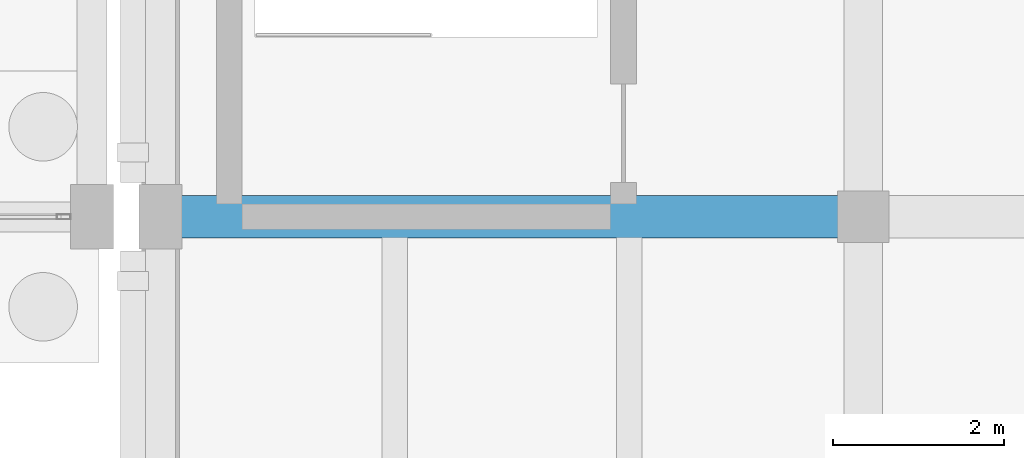
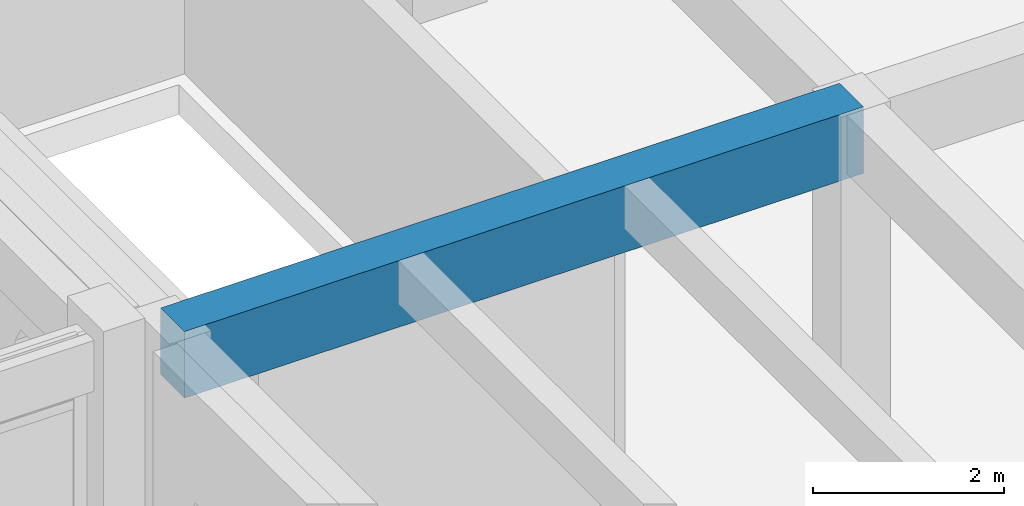
# One storey, part 34 of 186: 1 beam.
"""IFC4 building model written with IfcOpenShell, lengths in metres."""

from ifc_helpers import new_model, si_unit, direction, frame, origin, origin_2d, place, context, subcontext, project, spatial, rectangle, extrude, material, material_profile, profile_set, type_object, element, save


model = new_model("IFC4")

# Units and contexts
model_context = context("Model", 3, precision=1e-05, world=origin(), true_north=direction((0.0, 1.0)))
body_context = subcontext(model_context, "Body", "Model", "MODEL_VIEW")
ifc_project = project(units=[si_unit("LENGTHUNIT", "METRE"), si_unit("AREAUNIT", "SQUARE_METRE"), si_unit("VOLUMEUNIT", "CUBIC_METRE"), si_unit("PLANEANGLEUNIT", "RADIAN"), si_unit("MASSUNIT", "GRAM", prefix="KILO")], contexts=[model_context])

# Site, building, storey
site_placement = place(None, origin())
site = spatial("IfcSite", under=ifc_project, at=site_placement, CompositionType="ELEMENT")
building_placement = place(site_placement, origin())
building = spatial("IfcBuilding", under=site, at=building_placement, Name="Ornek Quay Market", CompositionType="ELEMENT")
storey_placement = place(building_placement, origin())
storey = spatial("IfcBuildingStorey", under=building, at=storey_placement, Name="L00", CompositionType="ELEMENT", Elevation=0.0)

# Beam
ifc_material = material(Name="Concrete C40/50", Category="concrete")
ifc_material_profile = material_profile(ifc_material, rectangle(XDim=0.5, YDim=0.85009765625, at=origin_2d()), Name="RC 500x850", Category="concrete")
ifc_profile_set = profile_set([ifc_material_profile], Name="Concrete C40/50")
beam_type = type_object("IfcBeamType", Name="BM-GAL-500x850", PredefinedType="BEAM", material=ifc_profile_set)
beam_placement = place(storey_placement, frame((54.800048828125, 20.0, 3.635009765625), z_axis=(1.0, 0.0, 0.0), x_axis=(0.0, 1.0, 0.0)))
element("IfcBeam", 1, at=beam_placement, inside=storey, type_object=beam_type, Name="Primary beam B-GL1-001", PredefinedType="BEAM", context=body_context, shape_type="SweptSolid", body=[
    extrude(rectangle(XDim=0.5, YDim=0.85009765625, at=origin_2d()), origin(), (0.0, 0.0, 1.0), 8.199951171875),
])

save(model, "model.ifc")
